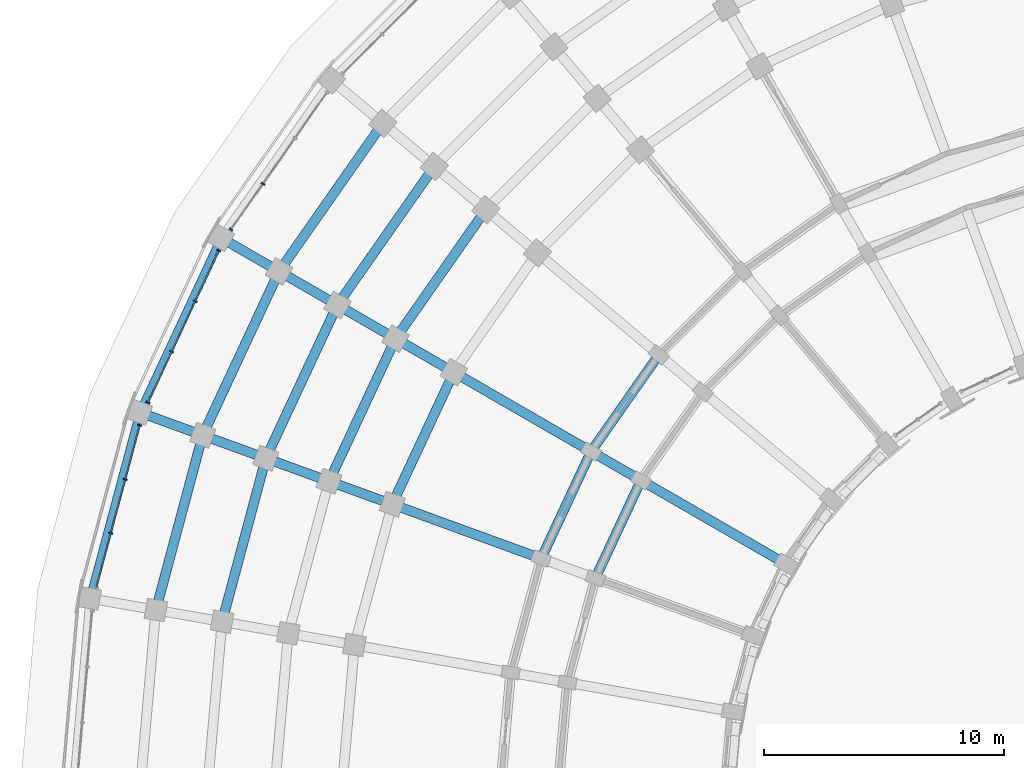
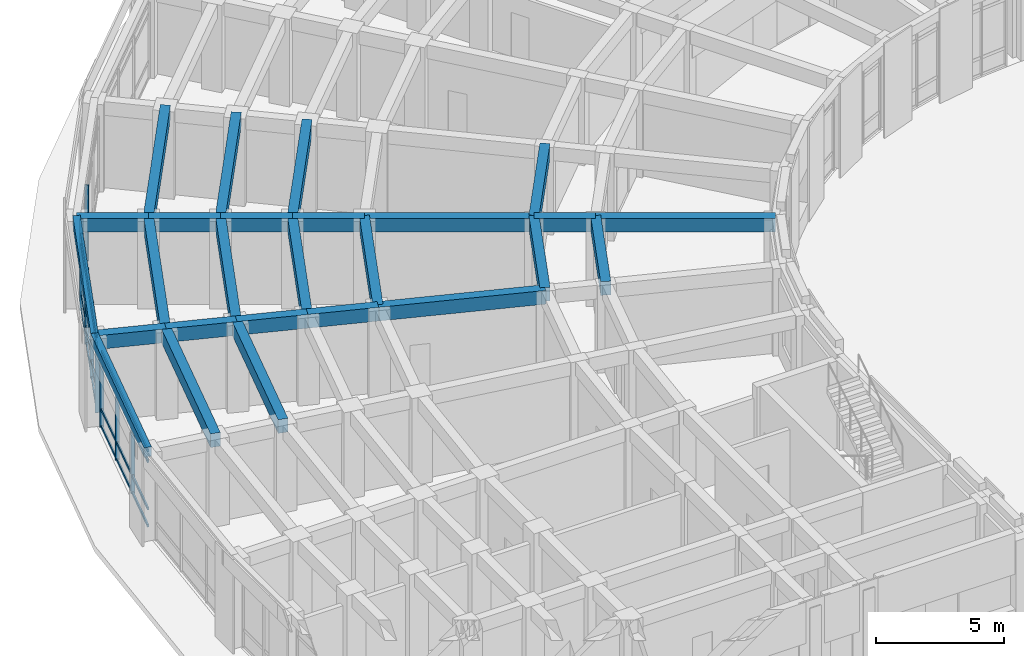
# One storey, part 37 of 135: 26 beams, 17 members, 3 elements without a shape of their own.
"""IFC4 building model written with IfcOpenShell, lengths in metres."""

from ifc_helpers import new_model, si_unit, direction, frame, origin, origin_2d, place, context, subcontext, project, spatial, rectangle, extrude, material, material_profile, profile_set, type_object, element, aggregate, save


model = new_model("IFC4")

# Units and contexts
model_context = context("Model", 3, precision=1e-05, world=origin(), true_north=direction((0.0, 1.0)))
body_context = subcontext(model_context, "Body", "Model", "MODEL_VIEW")
ifc_project = project(units=[si_unit("LENGTHUNIT", "METRE"), si_unit("AREAUNIT", "SQUARE_METRE"), si_unit("VOLUMEUNIT", "CUBIC_METRE"), si_unit("PLANEANGLEUNIT", "RADIAN"), si_unit("MASSUNIT", "GRAM", prefix="KILO")], contexts=[model_context])

# Site, building, storey
site_placement = place(None, origin())
site = spatial("IfcSite", under=ifc_project, at=site_placement, CompositionType="ELEMENT")
building_placement = place(site_placement, origin())
building = spatial("IfcBuilding", under=site, at=building_placement, Name="Kiranvali Square Residences", CompositionType="ELEMENT")
storey_placement = place(building_placement, origin())
storey = spatial("IfcBuildingStorey", under=building, at=storey_placement, Name="L00", CompositionType="ELEMENT", Elevation=0.0)

# Beams
ifc_material_1 = material(Name="Concrete M45 (45 MPa)", Category="concrete")
ifc_material_profile_1 = material_profile(ifc_material_1, rectangle(XDim=0.39990234375, YDim=0.64990234375, at=origin_2d()), Name="RC 400x650")
ifc_profile_set_1 = profile_set([ifc_material_profile_1], Name="Concrete M45 (45 MPa)")
beam_type_1 = type_object("IfcBeamType", Name="BM-M45-400x650", PredefinedType="BEAM", material=ifc_profile_set_1)
beam_1_placement = place(storey_placement, frame((26.59765625, 105.926513671875, 3.824951171875), z_axis=(-0.573592335331, -0.819140911474, 0.0), x_axis=(0.819140911474, -0.573592335331, 0.0)))
element("IfcBeam", 1, at=beam_1_placement, inside=storey, type_object=beam_type_1, Name="L00 beam BM-A-L00-C05-R2", PredefinedType="BEAM", context=body_context, shape_type="SweptSolid", body=[
    extrude(rectangle(XDim=0.39990234375, YDim=0.64990234375, at=origin_2d()), origin(), (0.0, 0.0, 1.0), 4.915771484375),
])
beam_2_placement = place(storey_placement, frame((19.396728515625, 111.96875, 3.824951171875), z_axis=(-0.573587340268, -0.819144409176, 0.0), x_axis=(0.819144409176, -0.573587340268, 0.0)))
element("IfcBeam", 2, at=beam_2_placement, inside=storey, type_object=beam_type_1, Name="L00 beam BM-A-L00-C05-R4", PredefinedType="BEAM", context=body_context, shape_type="SweptSolid", body=[
    extrude(rectangle(XDim=0.39990234375, YDim=0.64990234375, at=origin_2d()), origin(), (0.0, 0.0, 1.0), 6.553955078125),
])
beam_3_placement = place(storey_placement, frame((17.251708984375, 113.7685546875, 3.824951171875), z_axis=(-0.57356471828, -0.819160249246, 0.0), x_axis=(0.819160249246, -0.57356471828, 0.0)))
element("IfcBeam", 3, at=beam_3_placement, inside=storey, type_object=beam_type_1, Name="L00 beam BM-A-L00-C05-R5", PredefinedType="BEAM", context=body_context, shape_type="SweptSolid", body=[
    extrude(rectangle(XDim=0.39990234375, YDim=0.64990234375, at=origin_2d()), origin(), (0.0, 0.0, 1.0), 7.0419921875),
])
beam_4_placement = place(storey_placement, frame((15.10693359375, 115.568359375, 3.824951171875), z_axis=(-0.573588539275, -0.819143569597, 0.0), x_axis=(0.819143569597, -0.573588539275, 0.0)))
element("IfcBeam", 4, at=beam_4_placement, inside=storey, type_object=beam_type_1, Name="L00 beam BM-A-L00-C05-R6", PredefinedType="BEAM", context=body_context, shape_type="SweptSolid", body=[
    extrude(rectangle(XDim=0.39990234375, YDim=0.64990234375, at=origin_2d()), origin(), (0.0, 0.0, 1.0), 7.5302734375),
])
beam_5_placement = place(storey_placement, frame((25.8564453125, 100.699951171875, 3.824951171875), z_axis=(-0.422617978463, -0.906307919131, 0.0), x_axis=(0.906307919131, -0.422617978463, 0.0)))
element("IfcBeam", 5, at=beam_5_placement, inside=storey, type_object=beam_type_1, Name="L00 beam BM-A-L00-C06-R1", PredefinedType="BEAM", context=body_context, shape_type="SweptSolid", body=[
    extrude(rectangle(XDim=0.39990234375, YDim=0.64990234375, at=origin_2d()), origin(), (0.0, 0.0, 1.0), 4.497314453125),
])
beam_6_placement = place(storey_placement, frame((23.778076171875, 101.89990234375, 3.824951171875), z_axis=(-0.422629854778, -0.906302381024, 0.0), x_axis=(0.906302381024, -0.422629854778, 0.0)))
element("IfcBeam", 6, at=beam_6_placement, inside=storey, type_object=beam_type_1, Name="L00 beam BM-A-L00-C06-R2", PredefinedType="BEAM", context=body_context, shape_type="SweptSolid", body=[
    extrude(rectangle(XDim=0.39990234375, YDim=0.64990234375, at=origin_2d()), origin(), (0.0, 0.0, 1.0), 4.915283203125),
])
beam_7_placement = place(storey_placement, frame((18.062255859375, 105.199951171875, 3.824951171875), z_axis=(-0.42260781991, -0.906312656069, 0.0), x_axis=(0.906312656069, -0.42260781991, 0.0)))
element("IfcBeam", 7, at=beam_7_placement, inside=storey, type_object=beam_type_1, Name="L00 beam BM-A-L00-C06-R3", PredefinedType="BEAM", context=body_context, shape_type="SweptSolid", body=[
    extrude(rectangle(XDim=0.39990234375, YDim=0.64990234375, at=origin_2d()), origin(), (0.0, 0.0, 1.0), 6.06591796875),
])
beam_8_placement = place(storey_placement, frame((15.637451171875, 106.60009765625, 3.824951171875), z_axis=(-0.422595876255, -0.906318225223, 0.0), x_axis=(0.906318225223, -0.422595876255, 0.0)))
element("IfcBeam", 8, at=beam_8_placement, inside=storey, type_object=beam_type_1, Name="L00 beam BM-A-L00-C06-R4", PredefinedType="BEAM", context=body_context, shape_type="SweptSolid", body=[
    extrude(rectangle(XDim=0.39990234375, YDim=0.64990234375, at=origin_2d()), origin(), (0.0, 0.0, 1.0), 6.55419921875),
])
beam_9_placement = place(storey_placement, frame((13.212646484375, 108.0, 3.824951171875), z_axis=(-0.422640621205, -0.906297360311, 0.0), x_axis=(0.906297360311, -0.422640621205, 0.0)))
element("IfcBeam", 9, at=beam_9_placement, inside=storey, type_object=beam_type_1, Name="L00 beam BM-A-L00-C06-R5", PredefinedType="BEAM", context=body_context, shape_type="SweptSolid", body=[
    extrude(rectangle(XDim=0.39990234375, YDim=0.64990234375, at=origin_2d()), origin(), (0.0, 0.0, 1.0), 7.042236328125),
])
beam_10_placement = place(storey_placement, frame((10.78759765625, 109.39990234375, 3.824951171875), z_axis=(-0.422613886933, -0.90630982703, 0.0), x_axis=(0.90630982703, -0.422613886933, 0.0)))
element("IfcBeam", 10, at=beam_10_placement, inside=storey, type_object=beam_type_1, Name="L00 beam BM-A-L00-C06-R6", PredefinedType="BEAM", context=body_context, shape_type="SweptSolid", body=[
    extrude(rectangle(XDim=0.39990234375, YDim=0.64990234375, at=origin_2d()), origin(), (0.0, 0.0, 1.0), 7.5302734375),
])
beam_11_placement = place(storey_placement, frame((10.236328125, 101.61767578125, 3.824951171875), z_axis=(-0.258799624492, -0.965931029817, 0.0), x_axis=(0.965931029817, -0.258799624492, 0.0)))
element("IfcBeam", 11, at=beam_11_placement, inside=storey, type_object=beam_type_1, Name="L00 beam BM-A-L00-C07-R5", PredefinedType="BEAM", context=body_context, shape_type="SweptSolid", body=[
    extrude(rectangle(XDim=0.39990234375, YDim=0.64990234375, at=origin_2d()), origin(), (0.0, 0.0, 1.0), 7.042236328125),
])
beam_12_placement = place(storey_placement, frame((7.605224609375, 102.5751953125, 3.824951171875), z_axis=(-0.258818733833, -0.965925909693, 0.0), x_axis=(0.965925909693, -0.258818733833, 0.0)))
element("IfcBeam", 12, at=beam_12_placement, inside=storey, type_object=beam_type_1, Name="L00 beam BM-A-L00-C07-R6", PredefinedType="BEAM", context=body_context, shape_type="SweptSolid", body=[
    extrude(rectangle(XDim=0.39990234375, YDim=0.64990234375, at=origin_2d()), origin(), (0.0, 0.0, 1.0), 7.5302734375),
])
beam_13_placement = place(storey_placement, frame((31.918701171875, 97.199951171875, 3.824951171875), z_axis=(-0.866028190633, 0.499995173006, 0.0), x_axis=(-0.499995173006, -0.866028190633, 0.0)))
element("IfcBeam", 13, at=beam_13_placement, inside=storey, type_object=beam_type_1, Name="L00 beam BM-A-L00-RAD06-01", PredefinedType="BEAM", context=body_context, shape_type="SweptSolid", body=[
    extrude(rectangle(XDim=0.39990234375, YDim=0.64990234375, at=origin_2d()), origin(), (0.0, 0.0, 1.0), 7.0),
])
beam_14_placement = place(storey_placement, frame((25.8564453125, 100.699951171875, 3.824951171875), z_axis=(-0.866024647952, 0.500001309137, 0.0), x_axis=(-0.500001309137, -0.866024647952, 0.0)))
element("IfcBeam", 14, at=beam_14_placement, inside=storey, type_object=beam_type_1, Name="L00 beam BM-A-L00-RAD06-12", PredefinedType="BEAM", context=body_context, shape_type="SweptSolid", body=[
    extrude(rectangle(XDim=0.39990234375, YDim=0.64990234375, at=origin_2d()), origin(), (0.0, 0.0, 1.0), 2.39990234375),
])
beam_15_placement = place(storey_placement, frame((23.778076171875, 101.89990234375, 3.824951171875), z_axis=(-0.866024194504, 0.500002094529, 0.0), x_axis=(-0.500002094529, -0.866024194504, 0.0)))
element("IfcBeam", 15, at=beam_15_placement, inside=storey, type_object=beam_type_1, Name="L00 beam BM-A-L00-RAD06-23", PredefinedType="BEAM", context=body_context, shape_type="SweptSolid", body=[
    extrude(rectangle(XDim=0.39990234375, YDim=0.64990234375, at=origin_2d()), origin(), (0.0, 0.0, 1.0), 6.60009765625),
])
beam_16_placement = place(storey_placement, frame((18.062255859375, 105.199951171875, 3.824951171875), z_axis=(-0.865996816683, 0.500049511043, 0.0), x_axis=(-0.500049511043, -0.865996816683, 0.0)))
element("IfcBeam", 16, at=beam_16_placement, inside=storey, type_object=beam_type_1, Name="L00 beam BM-A-L00-RAD06-34", PredefinedType="BEAM", context=body_context, shape_type="SweptSolid", body=[
    extrude(rectangle(XDim=0.39990234375, YDim=0.64990234375, at=origin_2d()), origin(), (0.0, 0.0, 1.0), 2.800048828125),
])
beam_17_placement = place(storey_placement, frame((15.637451171875, 106.60009765625, 3.824951171875), z_axis=(-0.866034573852, 0.49998411664, 0.0), x_axis=(-0.49998411664, -0.866034573852, 0.0)))
element("IfcBeam", 17, at=beam_17_placement, inside=storey, type_object=beam_type_1, Name="L00 beam BM-A-L00-RAD06-45", PredefinedType="BEAM", context=body_context, shape_type="SweptSolid", body=[
    extrude(rectangle(XDim=0.39990234375, YDim=0.64990234375, at=origin_2d()), origin(), (0.0, 0.0, 1.0), 2.7998046875),
])
for number, where, z_axis, x_axis, name in (
    (18, (13.212646484375, 108.0, 3.824951171875), (-0.866056369097, 0.49994636267, 0.0), (-0.49994636267, -0.866056369097, 0.0), "L00 beam BM-A-L00-RAD06-56"),
    (19, (10.78759765625, 109.39990234375, 3.824951171875), (-0.865996816683, 0.500049511043, 0.0), (-0.500049511043, -0.865996816683, 0.0), "L00 beam BM-A-L00-RAD06-67"),
):
    element("IfcBeam", number, at=place(storey_placement, frame(where, z_axis=z_axis, x_axis=x_axis)), inside=storey, type_object=beam_type_1, Name=name, PredefinedType="BEAM", context=body_context, shape_type="SweptSolid", body=[
        extrude(rectangle(XDim=0.39990234375, YDim=0.64990234375, at=origin_2d()), origin(), (0.0, 0.0, 1.0), 2.800048828125),
    ])
beam_18_placement = place(storey_placement, frame((21.70068359375, 97.445068359375, 3.824951171875), z_axis=(-0.939691858249, 0.342022238372, 0.0), x_axis=(-0.342022238372, -0.939691858249, 0.0)))
element("IfcBeam", 20, at=beam_18_placement, inside=storey, type_object=beam_type_1, Name="L00 beam BM-A-L00-RAD07-23", PredefinedType="BEAM", context=body_context, shape_type="SweptSolid", body=[
    extrude(rectangle(XDim=0.39990234375, YDim=0.64990234375, at=origin_2d()), origin(), (0.0, 0.0, 1.0), 6.599853515625),
])
beam_19_placement = place(storey_placement, frame((15.498779296875, 99.702392578125, 3.824951171875), z_axis=(-0.93970683422, 0.341981089711, 0.0), x_axis=(-0.341981089711, -0.93970683422, 0.0)))
element("IfcBeam", 21, at=beam_19_placement, inside=storey, type_object=beam_type_1, Name="L00 beam BM-A-L00-RAD07-34", PredefinedType="BEAM", context=body_context, shape_type="SweptSolid", body=[
    extrude(rectangle(XDim=0.39990234375, YDim=0.64990234375, at=origin_2d()), origin(), (0.0, 0.0, 1.0), 2.7998046875),
])
beam_20_placement = place(storey_placement, frame((12.86767578125, 100.659912109375, 3.824951171875), z_axis=(-0.939689011208, 0.342030060398, 0.0), x_axis=(-0.342030060398, -0.939689011208, 0.0)))
element("IfcBeam", 22, at=beam_20_placement, inside=storey, type_object=beam_type_1, Name="L00 beam BM-A-L00-RAD07-45", PredefinedType="BEAM", context=body_context, shape_type="SweptSolid", body=[
    extrude(rectangle(XDim=0.39990234375, YDim=0.64990234375, at=origin_2d()), origin(), (0.0, 0.0, 1.0), 2.80029296875),
])
beam_21_placement = place(storey_placement, frame((10.236328125, 101.61767578125, 3.824951171875), z_axis=(-0.93970683422, 0.341981089711, 0.0), x_axis=(-0.341981089711, -0.93970683422, 0.0)))
element("IfcBeam", 23, at=beam_21_placement, inside=storey, type_object=beam_type_1, Name="L00 beam BM-A-L00-RAD07-56", PredefinedType="BEAM", context=body_context, shape_type="SweptSolid", body=[
    extrude(rectangle(XDim=0.39990234375, YDim=0.64990234375, at=origin_2d()), origin(), (0.0, 0.0, 1.0), 2.7998046875),
])
beam_22_placement = place(storey_placement, frame((7.605224609375, 102.5751953125, 3.824951171875), z_axis=(-0.939678810556, 0.342058084236, 0.0), x_axis=(-0.342058084236, -0.939678810556, 0.0)))
element("IfcBeam", 24, at=beam_22_placement, inside=storey, type_object=beam_type_1, Name="L00 beam BM-A-L00-RAD07-67", PredefinedType="BEAM", context=body_context, shape_type="SweptSolid", body=[
    extrude(rectangle(XDim=0.39990234375, YDim=0.64990234375, at=origin_2d()), origin(), (0.0, 0.0, 1.0), 2.800048828125),
])

# Curtain wall, members
ifc_material_2 = material(Name="Anodised bronze aluminium framing", Category="aluminium")
curtain_wall_type = type_object("IfcCurtainWallType", Name="CW-RET-SHOP", PredefinedType="USERDEFINED", material=ifc_material_2)
curtain_wall_1_placement = place(storey_placement, origin())
curtain_wall_1 = element("IfcCurtainWall", 25, at=curtain_wall_1_placement, inside=storey, type_object=curtain_wall_type, Name="Block A L00 rounded-corner arcade curtain wall 6", ObjectType="CURTAIN WALL", PredefinedType="USERDEFINED")
ifc_material_profile_2 = material_profile(ifc_material_2, rectangle(XDim=0.06494140625, YDim=0.159912109375, at=origin_2d()), Name="ALU 65x160")
ifc_profile_set_2 = profile_set([ifc_material_profile_2], Name="Anodised bronze aluminium framing")
member_type_1 = type_object("IfcMemberType", Name="CW-MUL-160", PredefinedType="MULLION", material=ifc_profile_set_2)
member_1_placement = place(storey_placement, frame((10.1181640625, 113.04541015625, 0.02001953125), z_axis=(0.0, 0.0, 1.0), x_axis=(-0.573576436351, -0.819152044289, 0.0)))
member_1 = element("IfcMember", 26, at=member_1_placement, type_object=member_type_1, Name="CW-A-L00-CRV-05 vertical mullion 3", PredefinedType="MULLION", context=body_context, shape_type="SweptSolid", body=[
    extrude(rectangle(XDim=0.06494140625, YDim=0.159912109375, at=origin_2d()), origin(), (0.0, 0.0, 1.0), 3.60986328125),
])
member_2_placement = place(storey_placement, frame((8.783935546875, 111.139892578125, 0.02001953125), z_axis=(0.0, 0.0, 1.0), x_axis=(-0.573576436351, -0.819152044289, 0.0)))
member_2 = element("IfcMember", 27, at=member_2_placement, type_object=member_type_1, Name="CW-A-L00-CRV-05 vertical mullion 4", PredefinedType="MULLION", context=body_context, shape_type="SweptSolid", body=[
    extrude(rectangle(XDim=0.06494140625, YDim=0.159912109375, at=origin_2d()), origin(), (0.0, 0.0, 1.0), 3.60986328125),
])
aggregate(curtain_wall_1, [member_1, member_2])

curtain_wall_2_placement = place(storey_placement, origin())
curtain_wall_2 = element("IfcCurtainWall", 28, at=curtain_wall_2_placement, inside=storey, type_object=curtain_wall_type, Name="Block A L00 rounded-corner arcade curtain wall 7", ObjectType="CURTAIN WALL", PredefinedType="USERDEFINED")
member_3_placement = place(storey_placement, frame((8.279052734375, 110.265380859375, 0.02001953125), z_axis=(0.0, 0.0, 1.0), x_axis=(-0.422618261741, -0.906307787037, 0.0)))
member_3 = element("IfcMember", 29, at=member_3_placement, type_object=member_type_1, Name="CW-A-L00-CRV-06 vertical mullion 1", PredefinedType="MULLION", context=body_context, shape_type="SweptSolid", body=[
    extrude(rectangle(XDim=0.06494140625, YDim=0.159912109375, at=origin_2d()), origin(), (0.0, 0.0, 1.0), 3.60986328125),
])
member_4_placement = place(storey_placement, frame((7.2958984375, 108.1572265625, 0.02001953125), z_axis=(0.0, 0.0, 1.0), x_axis=(-0.422618261741, -0.906307787037, 0.0)))
member_4 = element("IfcMember", 30, at=member_4_placement, type_object=member_type_1, Name="CW-A-L00-CRV-06 vertical mullion 2", PredefinedType="MULLION", context=body_context, shape_type="SweptSolid", body=[
    extrude(rectangle(XDim=0.06494140625, YDim=0.159912109375, at=origin_2d()), origin(), (0.0, 0.0, 1.0), 3.60986328125),
])
member_5_placement = place(storey_placement, frame((6.31298828125, 106.049072265625, 0.02001953125), z_axis=(0.0, 0.0, 1.0), x_axis=(-0.422618261741, -0.906307787037, 0.0)))
member_5 = element("IfcMember", 31, at=member_5_placement, type_object=member_type_1, Name="CW-A-L00-CRV-06 vertical mullion 3", PredefinedType="MULLION", context=body_context, shape_type="SweptSolid", body=[
    extrude(rectangle(XDim=0.06494140625, YDim=0.159912109375, at=origin_2d()), origin(), (0.0, 0.0, 1.0), 3.60986328125),
])
member_6_placement = place(storey_placement, frame((5.329833984375, 103.94091796875, 0.02001953125), z_axis=(0.0, 0.0, 1.0), x_axis=(-0.422618261741, -0.906307787037, 0.0)))
member_6 = element("IfcMember", 32, at=member_6_placement, type_object=member_type_1, Name="CW-A-L00-CRV-06 vertical mullion 4", PredefinedType="MULLION", context=body_context, shape_type="SweptSolid", body=[
    extrude(rectangle(XDim=0.06494140625, YDim=0.159912109375, at=origin_2d()), origin(), (0.0, 0.0, 1.0), 3.60986328125),
])

curtain_wall_3_placement = place(storey_placement, origin())
curtain_wall_3 = element("IfcCurtainWall", 33, at=curtain_wall_3_placement, inside=storey, type_object=curtain_wall_type, Name="Block A L00 rounded-corner arcade curtain wall 8", ObjectType="CURTAIN WALL", PredefinedType="USERDEFINED")
member_7_placement = place(storey_placement, frame((4.984375, 102.99169921875, 0.02001953125), z_axis=(0.0, 0.0, 1.0), x_axis=(-0.258819045103, -0.965925826289, 0.0)))
member_7 = element("IfcMember", 34, at=member_7_placement, type_object=member_type_1, Name="CW-A-L00-CRV-07 vertical mullion 1", PredefinedType="MULLION", context=body_context, shape_type="SweptSolid", body=[
    extrude(rectangle(XDim=0.06494140625, YDim=0.159912109375, at=origin_2d()), origin(), (0.0, 0.0, 1.0), 3.60986328125),
])
member_8_placement = place(storey_placement, frame((4.38232421875, 100.744873046875, 0.02001953125), z_axis=(0.0, 0.0, 1.0), x_axis=(-0.258819045103, -0.965925826289, 0.0)))
member_8 = element("IfcMember", 35, at=member_8_placement, type_object=member_type_1, Name="CW-A-L00-CRV-07 vertical mullion 2", PredefinedType="MULLION", context=body_context, shape_type="SweptSolid", body=[
    extrude(rectangle(XDim=0.06494140625, YDim=0.159912109375, at=origin_2d()), origin(), (0.0, 0.0, 1.0), 3.60986328125),
])
member_9_placement = place(storey_placement, frame((3.7802734375, 98.498046875, 0.02001953125), z_axis=(0.0, 0.0, 1.0), x_axis=(-0.258819045103, -0.965925826289, 0.0)))
member_9 = element("IfcMember", 36, at=member_9_placement, type_object=member_type_1, Name="CW-A-L00-CRV-07 vertical mullion 3", PredefinedType="MULLION", context=body_context, shape_type="SweptSolid", body=[
    extrude(rectangle(XDim=0.06494140625, YDim=0.159912109375, at=origin_2d()), origin(), (0.0, 0.0, 1.0), 3.60986328125),
])

# Member
ifc_material_profile_3 = material_profile(ifc_material_2, rectangle(XDim=0.06494140625, YDim=0.139892578125, at=origin_2d()), Name="ALU 65x140")
ifc_profile_set_3 = profile_set([ifc_material_profile_3], Name="Anodised bronze aluminium framing")
member_type_2 = type_object("IfcMemberType", Name="CW-TRN-140", PredefinedType="MULLION", material=ifc_profile_set_3)
member_10_placement = place(storey_placement, frame((8.27490234375, 110.25634765625, 0.0400390625), z_axis=(-0.422641515237, -0.90629694339, 0.0), x_axis=(0.90629694339, -0.422641515237, 0.0)))
member_10 = element("IfcMember", 37, at=member_10_placement, type_object=member_type_2, Name="CW-A-L00-CRV-06 horizontal transom 1", PredefinedType="MULLION", context=body_context, shape_type="SweptSolid", body=[
    extrude(rectangle(XDim=0.06494140625, YDim=0.139892578125, at=origin_2d()), origin(), (0.0, 0.0, 1.0), 6.95849609375),
])

member_11_placement = place(storey_placement, frame((8.27490234375, 110.25634765625, 0.85009765625), z_axis=(-0.422641515237, -0.90629694339, 0.0), x_axis=(0.90629694339, -0.422641515237, 0.0)))
member_11 = element("IfcMember", 38, at=member_11_placement, type_object=member_type_2, Name="CW-A-L00-CRV-06 horizontal transom 2", PredefinedType="MULLION", context=body_context, shape_type="SweptSolid", body=[
    extrude(rectangle(XDim=0.06494140625, YDim=0.139892578125, at=origin_2d()), origin(), (0.0, 0.0, 1.0), 6.95849609375),
])

member_12_placement = place(storey_placement, frame((8.27490234375, 110.25634765625, 3.10009765625), z_axis=(-0.422641515237, -0.90629694339, 0.0), x_axis=(0.90629694339, -0.422641515237, 0.0)))
member_12 = element("IfcMember", 39, at=member_12_placement, type_object=member_type_2, Name="CW-A-L00-CRV-06 horizontal transom 3", PredefinedType="MULLION", context=body_context, shape_type="SweptSolid", body=[
    extrude(rectangle(XDim=0.06494140625, YDim=0.139892578125, at=origin_2d()), origin(), (0.0, 0.0, 1.0), 6.95849609375),
])

member_13_placement = place(storey_placement, frame((8.27490234375, 110.25634765625, 3.610107421875), z_axis=(-0.422641515237, -0.90629694339, 0.0), x_axis=(0.90629694339, -0.422641515237, 0.0)))
member_13 = element("IfcMember", 40, at=member_13_placement, type_object=member_type_2, Name="CW-A-L00-CRV-06 horizontal transom 4", PredefinedType="MULLION", context=body_context, shape_type="SweptSolid", body=[
    extrude(rectangle(XDim=0.06494140625, YDim=0.139892578125, at=origin_2d()), origin(), (0.0, 0.0, 1.0), 6.95849609375),
])

aggregate(curtain_wall_2, [member_3, member_4, member_5, member_6, member_10, member_11, member_12, member_13])

member_14_placement = place(storey_placement, frame((4.98193359375, 102.982177734375, 0.0400390625), z_axis=(-0.258830788495, -0.96592267958, 0.0), x_axis=(0.96592267958, -0.258830788495, 0.0)))
member_14 = element("IfcMember", 41, at=member_14_placement, type_object=member_type_2, Name="CW-A-L00-CRV-07 horizontal transom 1", PredefinedType="MULLION", context=body_context, shape_type="SweptSolid", body=[
    extrude(rectangle(XDim=0.06494140625, YDim=0.139892578125, at=origin_2d()), origin(), (0.0, 0.0, 1.0), 6.958251953125),
])

member_15_placement = place(storey_placement, frame((4.98193359375, 102.982177734375, 0.85009765625), z_axis=(-0.258830788495, -0.96592267958, 0.0), x_axis=(0.96592267958, -0.258830788495, 0.0)))
member_15 = element("IfcMember", 42, at=member_15_placement, type_object=member_type_2, Name="CW-A-L00-CRV-07 horizontal transom 2", PredefinedType="MULLION", context=body_context, shape_type="SweptSolid", body=[
    extrude(rectangle(XDim=0.06494140625, YDim=0.139892578125, at=origin_2d()), origin(), (0.0, 0.0, 1.0), 6.958251953125),
])

member_16_placement = place(storey_placement, frame((4.98193359375, 102.982177734375, 3.10009765625), z_axis=(-0.258830788495, -0.96592267958, 0.0), x_axis=(0.96592267958, -0.258830788495, 0.0)))
member_16 = element("IfcMember", 43, at=member_16_placement, type_object=member_type_2, Name="CW-A-L00-CRV-07 horizontal transom 3", PredefinedType="MULLION", context=body_context, shape_type="SweptSolid", body=[
    extrude(rectangle(XDim=0.06494140625, YDim=0.139892578125, at=origin_2d()), origin(), (0.0, 0.0, 1.0), 6.958251953125),
])

member_17_placement = place(storey_placement, frame((4.98193359375, 102.982177734375, 3.610107421875), z_axis=(-0.258830788495, -0.96592267958, 0.0), x_axis=(0.96592267958, -0.258830788495, 0.0)))
member_17 = element("IfcMember", 44, at=member_17_placement, type_object=member_type_2, Name="CW-A-L00-CRV-07 horizontal transom 4", PredefinedType="MULLION", context=body_context, shape_type="SweptSolid", body=[
    extrude(rectangle(XDim=0.06494140625, YDim=0.139892578125, at=origin_2d()), origin(), (0.0, 0.0, 1.0), 6.958251953125),
])

aggregate(curtain_wall_3, [member_7, member_8, member_9, member_14, member_15, member_16, member_17])

# Beams
ifc_material_3 = material(Name="Concrete M40 (40 MPa)", Category="concrete")
ifc_material_profile_4 = material_profile(ifc_material_3, rectangle(XDim=0.300048828125, YDim=0.449951171875, at=origin_2d()), Name="RC 300x450")
ifc_profile_set_4 = profile_set([ifc_material_profile_4], Name="Concrete M40 (40 MPa)")
beam_type_2 = type_object("IfcBeamType", Name="SPN-M40-300x450", PredefinedType="SPANDREL", material=ifc_profile_set_4)
for number, where, z_axis, x_axis, name in (
    (45, (8.36279296875, 110.800048828125, 3.925048828125), (-0.422615416827, -0.906309113636, 0.0), (0.906309113636, -0.422615416827, 0.0), "L00 beam BM-A-L00-C06-R7"),
    (46, (4.97412109375, 103.532958984375, 3.925048828125), (-0.258807108475, -0.96592902462, 0.0), (0.96592902462, -0.258807108475, 0.0), "L00 beam BM-A-L00-C07-R7"),
):
    element("IfcBeam", number, at=place(storey_placement, frame(where, z_axis=z_axis, x_axis=x_axis)), inside=storey, type_object=beam_type_2, Name=name, PredefinedType="SPANDREL", context=body_context, shape_type="SweptSolid", body=[
        extrude(rectangle(XDim=0.300048828125, YDim=0.449951171875, at=origin_2d()), origin(), (0.0, 0.0, 1.0), 8.018310546875),
    ])

save(model, "model.ifc")
